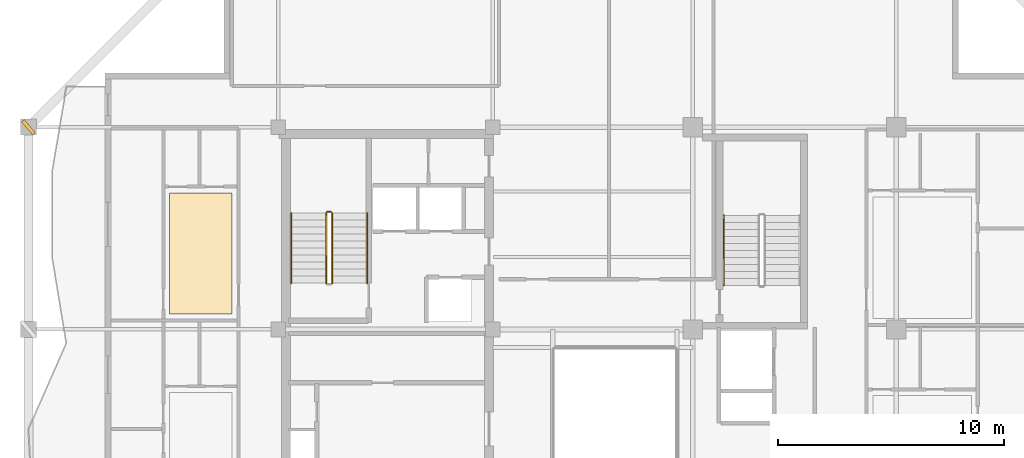
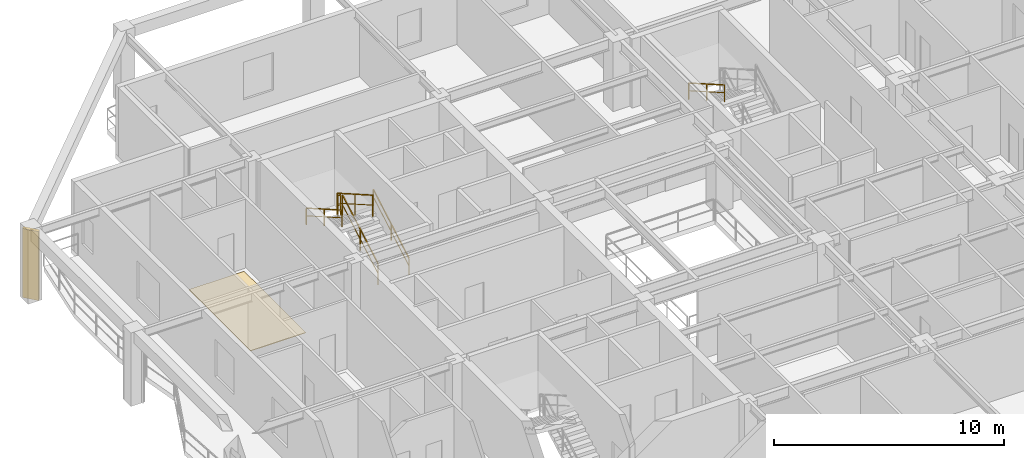
# One storey, part 11 of 13: 6 railings, 1 covering, 1 shading device.
"""IFC4 building model written with IfcOpenShell, lengths in metres."""

from ifc_helpers import new_model, si_unit, direction, frame, origin, origin_2d, place, context, subcontext, project, spatial, polyline, rectangle, outline, extrude, material, layer, layer_set, type_object, element, save


model = new_model("IFC4")

# Units and contexts
model_context = context("Model", 3, precision=1e-05, world=origin(), true_north=direction((0.0, 1.0)))
body_context = subcontext(model_context, "Body", "Model", "MODEL_VIEW")
ifc_project = project(units=[si_unit("LENGTHUNIT", "METRE"), si_unit("AREAUNIT", "SQUARE_METRE"), si_unit("VOLUMEUNIT", "CUBIC_METRE"), si_unit("PLANEANGLEUNIT", "RADIAN"), si_unit("MASSUNIT", "GRAM", prefix="KILO")], contexts=[model_context])

# Site, building, storey
site_placement = place(None, origin())
site = spatial("IfcSite", under=ifc_project, at=site_placement, CompositionType="ELEMENT")
building_placement = place(site_placement, origin())
building = spatial("IfcBuilding", under=site, at=building_placement, Name="Kundavana Baori Tower", CompositionType="ELEMENT")
storey_placement = place(building_placement, frame((0.0, 0.0, 225.800048828125)))
storey = spatial("IfcBuildingStorey", under=building, at=storey_placement, Name="L55", CompositionType="ELEMENT", Elevation=225.800048828125)

# Covering
ifc_material_1 = material(Name="Honed Kota Stone and Terrazzo Flooring", Category="masonry")
ifc_layer = layer(ifc_material_1, 0.030029296875, Name="COV-INT-FLR")
ifc_layer_set = layer_set([ifc_layer], Name="Honed Kota Stone and Terrazzo Flooring")
covering_type = type_object("IfcCoveringType", Name="COV-INT-FLR", PredefinedType="FLOORING", material=ifc_layer_set)
covering_placement = place(storey_placement, origin())
element("IfcCovering", 1, at=covering_placement, inside=storey, type_object=covering_type, Name="L55 Room Finished Stone Flooring 3", PredefinedType="FLOORING", context=body_context, shape_type="SweptSolid", body=[
    extrude(outline(polyline([(10.64990234375, 33.679931640625), (13.419921875, 33.679931640625), (13.419921875, 39.0400390625), (10.64990234375, 39.0400390625), (10.64990234375, 33.679931640625)])), origin(), (0.0, 0.0, 1.0), 0.030029296875),
])

# Railings
ifc_material_2 = material(Name="Architectural Patinated Bronze Metalwork")
railing_type_1 = type_object("IfcRailingType", Name="RL-GRD-1150", PredefinedType="GUARDRAIL", material=ifc_material_2)
railing_1_placement = place(storey_placement, frame((17.840087890625, 35.050048828125, 0.17724609375)))
element("IfcRailing", 2, at=railing_1_placement, inside=storey, type_object=railing_type_1, Name="L55 ST2 stair guard 1", PredefinedType="GUARDRAIL", context=body_context, shape_type="SweptSolid", body=[
    extrude(rectangle(XDim=0.048095703125, YDim=0.048095703125, at=origin_2d()), frame((0.0, 0.0, 1.1259765625), z_axis=(0.0, 0.868079009454, 0.496426060301), x_axis=(-1.0, 0.0, 0.0)), (0.0, 0.0, 1.0), 3.571044921875),
    extrude(rectangle(XDim=0.03125, YDim=0.03125, at=origin_2d()), frame((0.0, 0.0, 0.597900390625), z_axis=(0.0, 0.868079009454, 0.496426060301), x_axis=(-1.0, 0.0, 0.0)), (0.0, 0.0, 1.0), 3.571044921875),
    extrude(rectangle(XDim=0.0419921875, YDim=0.0419921875, at=origin_2d()), origin(), (0.0, 0.0, 1.0), 1.101806640625),
    extrude(rectangle(XDim=0.0419921875, YDim=0.0419921875, at=origin_2d()), frame((0.0, 1.5498046875, 0.88623046875)), (0.0, 0.0, 1.0), 1.101806640625),
    extrude(rectangle(XDim=0.0419921875, YDim=0.0419921875, at=origin_2d()), frame((0.0, 3.099853515625, 1.772705078125)), (0.0, 0.0, 1.0), 1.101806640625),
])
railing_2_placement = place(storey_placement, frame((17.7900390625, 38.199951171875, 1.949951171875)))
element("IfcRailing", 3, at=railing_2_placement, inside=storey, type_object=railing_type_1, Name="L55 ST2 stair guard 2", PredefinedType="GUARDRAIL", context=body_context, shape_type="SweptSolid", body=[
    extrude(rectangle(XDim=0.048095703125, YDim=0.048095703125, at=origin_2d()), frame((0.0, 0.0, 1.1259765625), z_axis=(-1.0, 0.0, 0.0), x_axis=(0.0, -1.0, 0.0)), (0.0, 0.0, 1.0), 0.16015625),
    extrude(rectangle(XDim=0.03125, YDim=0.03125, at=origin_2d()), frame((0.0, 0.0, 0.597900390625), z_axis=(-1.0, 0.0, 0.0), x_axis=(0.0, -1.0, 0.0)), (0.0, 0.0, 1.0), 0.16015625),
    extrude(rectangle(XDim=0.0419921875, YDim=0.0419921875, at=origin_2d()), origin(), (0.0, 0.0, 1.0), 1.101806640625),
    extrude(rectangle(XDim=0.0419921875, YDim=0.0419921875, at=origin_2d()), frame((-0.16015625, 0.0, 0.0)), (0.0, 0.0, 1.0), 1.101806640625),
])
railing_3_placement = place(storey_placement, frame((17.580078125, 38.14990234375, 2.127197265625)))
element("IfcRailing", 4, at=railing_3_placement, inside=storey, type_object=railing_type_1, Name="L55 ST2 stair guard 3", PredefinedType="GUARDRAIL", context=body_context, shape_type="SweptSolid", body=[
    extrude(rectangle(XDim=0.048095703125, YDim=0.048095703125, at=origin_2d()), frame((0.0, 0.0, 1.1259765625), z_axis=(0.0, -0.868079009454, 0.496426060301), x_axis=(1.0, 0.0, 0.0)), (0.0, 0.0, 1.0), 3.571044921875),
    extrude(rectangle(XDim=0.03125, YDim=0.03125, at=origin_2d()), frame((0.0, 0.0, 0.597900390625), z_axis=(0.0, -0.868079009454, 0.496426060301), x_axis=(1.0, 0.0, 0.0)), (0.0, 0.0, 1.0), 3.571044921875),
    extrude(rectangle(XDim=0.0419921875, YDim=0.0419921875, at=origin_2d()), origin(), (0.0, 0.0, 1.0), 1.101806640625),
    extrude(rectangle(XDim=0.0419921875, YDim=0.0419921875, at=origin_2d()), frame((0.0, -1.5498046875, 0.88623046875)), (0.0, 0.0, 1.0), 1.101806640625),
    extrude(rectangle(XDim=0.0419921875, YDim=0.0419921875, at=origin_2d()), frame((0.0, -3.099853515625, 1.772705078125)), (0.0, 0.0, 1.0), 1.101806640625),
])
ifc_material_3 = material(Name="Architectural Patinated Bronze Metalwork")
railing_type_2 = type_object("IfcRailingType", Name="RL-HND-920", PredefinedType="HANDRAIL", material=ifc_material_3)
railing_4_placement = place(storey_placement, frame((19.389892578125, 35.050048828125, 0.17724609375)))
element("IfcRailing", 5, at=railing_4_placement, inside=storey, type_object=railing_type_2, Name="L55 ST2 stair handrail 1", PredefinedType="HANDRAIL", context=body_context, shape_type="SweptSolid", body=[
    extrude(rectangle(XDim=0.048095703125, YDim=0.048095703125, at=origin_2d()), frame((0.0, 0.0, 0.8759765625), z_axis=(0.0, 0.868079009454, 0.496426060301), x_axis=(-1.0, 0.0, 0.0)), (0.0, 0.0, 1.0), 3.571044921875),
    extrude(rectangle(XDim=0.03125, YDim=0.03125, at=origin_2d()), frame((0.0, 0.0, 0.468017578125), z_axis=(0.0, 0.868079009454, 0.496426060301), x_axis=(-1.0, 0.0, 0.0)), (0.0, 0.0, 1.0), 3.571044921875),
    extrude(rectangle(XDim=0.0419921875, YDim=0.0419921875, at=origin_2d()), origin(), (0.0, 0.0, 1.0), 0.851806640625),
    extrude(rectangle(XDim=0.0419921875, YDim=0.0419921875, at=origin_2d()), frame((0.0, 1.5498046875, 0.88623046875)), (0.0, 0.0, 1.0), 0.851806640625),
    extrude(rectangle(XDim=0.0419921875, YDim=0.0419921875, at=origin_2d()), frame((0.0, 3.099853515625, 1.772705078125)), (0.0, 0.0, 1.0), 0.851806640625),
])
railing_5_placement = place(storey_placement, frame((16.030029296875, 38.14990234375, 2.127197265625)))
element("IfcRailing", 6, at=railing_5_placement, inside=storey, type_object=railing_type_2, Name="L55 ST2 stair handrail 2", PredefinedType="HANDRAIL", context=body_context, shape_type="SweptSolid", body=[
    extrude(rectangle(XDim=0.048095703125, YDim=0.048095703125, at=origin_2d()), frame((0.0, 0.0, 0.8759765625), z_axis=(0.0, -0.868079009454, 0.496426060301), x_axis=(1.0, 0.0, 0.0)), (0.0, 0.0, 1.0), 3.571044921875),
    extrude(rectangle(XDim=0.03125, YDim=0.03125, at=origin_2d()), frame((0.0, 0.0, 0.468017578125), z_axis=(0.0, -0.868079009454, 0.496426060301), x_axis=(1.0, 0.0, 0.0)), (0.0, 0.0, 1.0), 3.571044921875),
    extrude(rectangle(XDim=0.0419921875, YDim=0.0419921875, at=origin_2d()), origin(), (0.0, 0.0, 1.0), 0.851806640625),
    extrude(rectangle(XDim=0.0419921875, YDim=0.0419921875, at=origin_2d()), frame((0.0, -1.5498046875, 0.88623046875)), (0.0, 0.0, 1.0), 0.851806640625),
    extrude(rectangle(XDim=0.0419921875, YDim=0.0419921875, at=origin_2d()), frame((0.0, -3.099853515625, 1.772705078125)), (0.0, 0.0, 1.0), 0.851806640625),
])
railing_6_placement = place(storey_placement, frame((35.169921875, 38.050048828125, 2.127197265625)))
element("IfcRailing", 7, at=railing_6_placement, inside=storey, type_object=railing_type_2, Name="L55 ST3 stair handrail 2", PredefinedType="HANDRAIL", context=body_context, shape_type="SweptSolid", body=[
    extrude(rectangle(XDim=0.048095703125, YDim=0.048095703125, at=origin_2d()), frame((0.0, 0.0, 0.8759765625), z_axis=(0.0, -0.868095856688, 0.496396599103), x_axis=(1.0, 0.0, 0.0)), (0.0, 0.0, 1.0), 3.571044921875),
    extrude(rectangle(XDim=0.03125, YDim=0.03125, at=origin_2d()), frame((0.0, 0.0, 0.468017578125), z_axis=(0.0, -0.868095856688, 0.496396599103), x_axis=(1.0, 0.0, 0.0)), (0.0, 0.0, 1.0), 3.571044921875),
    extrude(rectangle(XDim=0.0419921875, YDim=0.0419921875, at=origin_2d()), origin(), (0.0, 0.0, 1.0), 0.851806640625),
    extrude(rectangle(XDim=0.0419921875, YDim=0.0419921875, at=origin_2d()), frame((0.0, -1.550048828125, 0.88623046875)), (0.0, 0.0, 1.0), 0.851806640625),
    extrude(rectangle(XDim=0.0419921875, YDim=0.0419921875, at=origin_2d()), frame((0.0, -3.10009765625, 1.772705078125)), (0.0, 0.0, 1.0), 0.851806640625),
])

# Shading device
ifc_material_4 = material(Name="Red-Buff Dholpur Sandstone Cladding on Concrete C40/50", Category="masonry")
shading_device_type = type_object("IfcShadingDeviceType", Name="SHD-FIN-750", PredefinedType="JALOUSIE", material=ifc_material_4)
shading_device_placement = place(storey_placement, frame((4.39990234375, 41.949951171875, 0.0), z_axis=(0.0, 0.0, 1.0), x_axis=(0.75995238006, 0.649978753531, 0.0)))
element("IfcShadingDevice", 8, at=shading_device_placement, inside=storey, type_object=shading_device_type, Name="L55 Sweeping Dholpur Sandstone Facade Fin 8", PredefinedType="JALOUSIE", context=body_context, shape_type="SweptSolid", body=[
    extrude(rectangle(XDim=0.159912109375, YDim=0.75, at=origin_2d()), origin(), (0.0, 0.0, 1.0), 3.659912109375),
])

save(model, "model.ifc")
